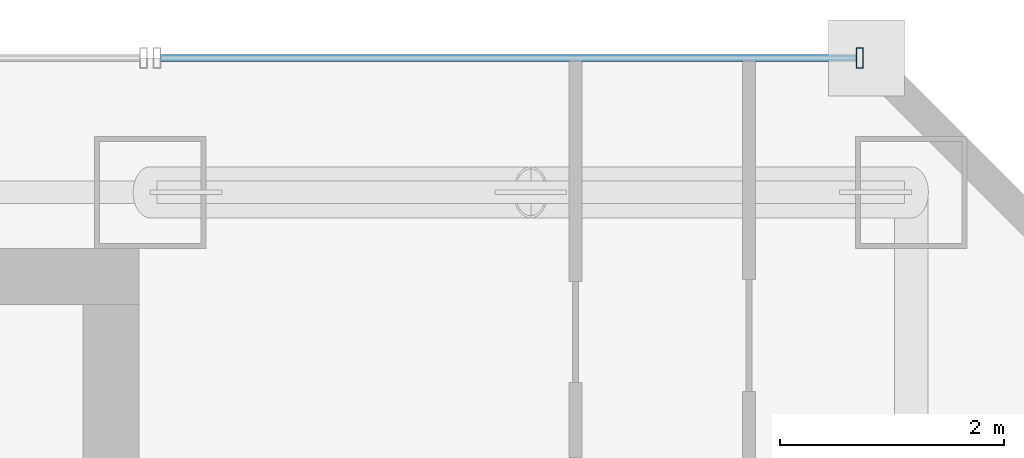
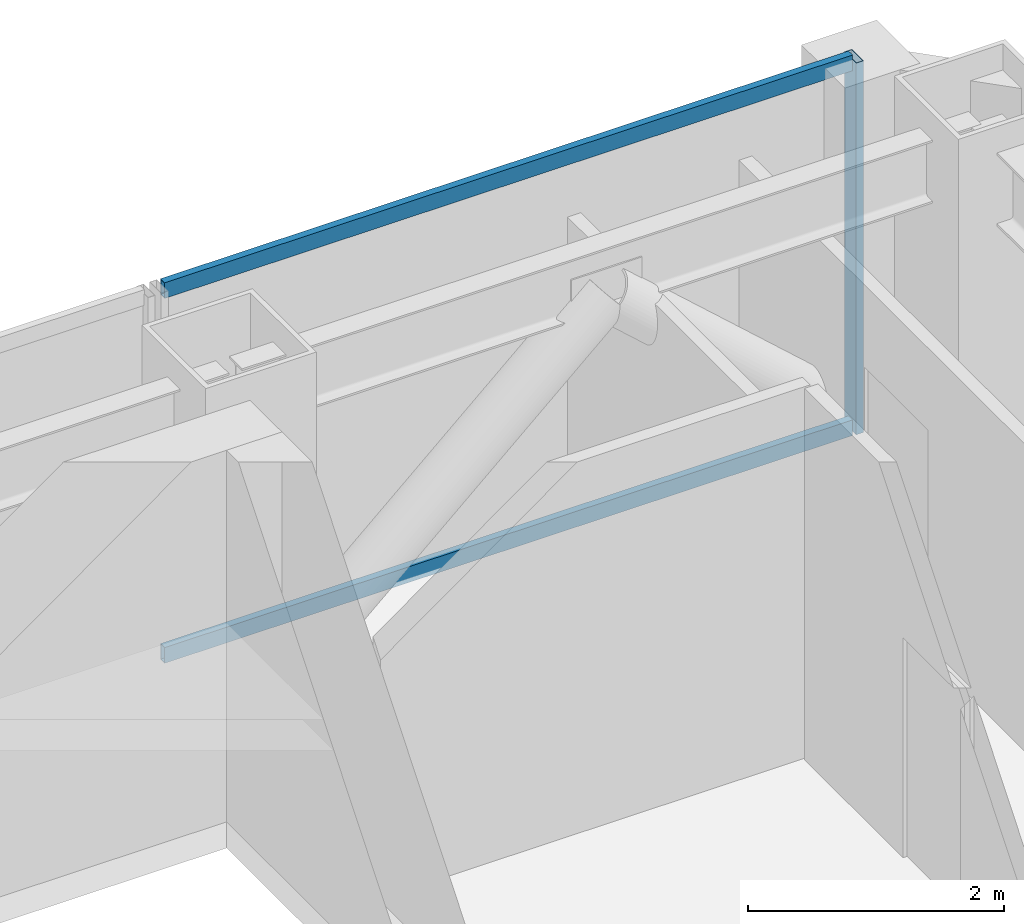
# One storey, part 28 of 37: 3 members, 1 element without a shape of its own.
"""IFC4 building model written with IfcOpenShell, lengths in metres."""

import ifcopenshell
import ifcopenshell.guid

model = None  # the IFC model being written
_history = None  # IfcOwnerHistory: only IFC2X3 demands one
_inside = {}  # id of a spatial element -> (the spatial element, [elements in it])
_under = {}  # id of a project, library or spatial element -> (it, [spatial elements below it])
_declared = {}  # id of a project -> (the project, [libraries it declares])
_typed = {}  # id of a type object -> (the type object, [elements of that type])
_made_of = {}  # id of a material, layer set ... -> (it, [elements and type objects made of it])


def new_model(schema):
    """Start an empty IFC model of exactly this schema.

    Asked for "IFC4X3", IfcOpenShell would pick the latest addendum, in which some entities
    have other attributes; the version numbers below select the first issue.
    IFC2X3 requires an IfcOwnerHistory on every rooted entity: one is made here for all.
    """
    global model, _history
    if schema == "IFC4X3":
        model = ifcopenshell.file(schema_version=(4, 3, 0, 0))
    else:
        model = ifcopenshell.file(schema=schema)
    _inside.clear()
    _under.clear()
    _declared.clear()
    _typed.clear()
    _made_of.clear()
    _history = None
    if model.schema == "IFC2X3":
        org = make("IfcOrganization", Name="unknown")
        user = make(
            "IfcPersonAndOrganization",
            ThePerson=make("IfcPerson", FamilyName="unknown"),
            TheOrganization=org,
        )
        app = make(
            "IfcApplication",
            ApplicationDeveloper=org,
            Version="unknown",
            ApplicationFullName="unknown",
            ApplicationIdentifier="unknown",
        )
        _history = make(
            "IfcOwnerHistory",
            OwningUser=user,
            OwningApplication=app,
            ChangeAction="ADDED",
            CreationDate=0,
        )
    return model


def make(cls, **values):
    """One entity of the class cls with the attributes given. An attribute that is None is left unset."""
    return model.create_entity(
        cls, **{name: value for name, value in values.items() if value is not None}
    )


def rooted(cls, **values):
    """An entity with a GlobalId (a new one), such as an element, a storey or a relation."""
    return make(cls, GlobalId=ifcopenshell.guid.new(), OwnerHistory=_history, **values)


def si_unit(unit_type, name, prefix=None):
    """IfcSIUnit, for example si_unit("LENGTHUNIT", "METRE", prefix="MILLI")."""
    return make("IfcSIUnit", UnitType=unit_type, Prefix=prefix, Name=name)


def assignment(units):
    """IfcUnitAssignment: the units of a project."""
    return None if units is None else make("IfcUnitAssignment", Units=units)


def point(xyz):
    """IfcCartesianPoint."""
    return None if xyz is None else make("IfcCartesianPoint", Coordinates=xyz)


def direction(xyz):
    """IfcDirection."""
    return None if xyz is None else make("IfcDirection", DirectionRatios=xyz)


def frame(location, z_axis=None, x_axis=None):
    """IfcAxis2Placement3D, a coordinate frame: its origin and axes. An axis left out is left unset."""
    return make(
        "IfcAxis2Placement3D",
        Location=point(location),
        Axis=direction(z_axis),
        RefDirection=direction(x_axis),
    )


def frame_2d(location, x_axis=None):
    """IfcAxis2Placement2D, a coordinate frame in the plane: its origin and x axis."""
    return make(
        "IfcAxis2Placement2D", Location=point(location), RefDirection=direction(x_axis)
    )


def origin():
    """The frame at (0, 0, 0) with its axes left unset."""
    return frame((0.0, 0.0, 0.0))


def origin_2d():
    """The frame at (0, 0) in the plane with its x axis left unset."""
    return frame_2d((0.0, 0.0))


def place(relative_to, where):
    """IfcLocalPlacement: puts the frame where relative to a parent placement (None: the world)."""
    return make(
        "IfcLocalPlacement", PlacementRelTo=relative_to, RelativePlacement=where
    )


def context(
    kind, dimensions, precision=None, world=None, true_north=None, identifier=None
):
    """IfcGeometricRepresentationContext, for example the 3D "Model" context."""
    return make(
        "IfcGeometricRepresentationContext",
        ContextIdentifier=identifier,
        ContextType=kind,
        CoordinateSpaceDimension=dimensions,
        Precision=precision,
        WorldCoordinateSystem=world,
        TrueNorth=true_north,
    )


def subcontext(parent, identifier, kind, view, scale=None):
    """IfcGeometricRepresentationSubContext, for example "Body" below "Model"."""
    return make(
        "IfcGeometricRepresentationSubContext",
        ContextIdentifier=identifier,
        ContextType=kind,
        ParentContext=parent,
        TargetScale=scale,
        TargetView=view,
    )


def project(units=None, contexts=None):
    """IfcProject with its units and contexts."""
    return rooted(
        "IfcProject",
        Name="project",
        RepresentationContexts=contexts,
        UnitsInContext=assignment(units),
    )


def spatial(cls, under=None, at=None, **own):
    """A site, building, storey or space (cls), placed at a placement, below another one or the project."""
    s = rooted(cls, ObjectPlacement=at, **own)
    if under is not None:
        _under.setdefault(under.id(), (under, []))[1].append(s)
    return s


def profile(cls, at=None, kind="AREA", **sizes):
    """A parametric profile (cls). Its sizes go by their IFC names, for example OverallWidth=200.0."""
    return make(cls, ProfileType=kind, Position=at, **sizes)


def hollow_rectangle(**sizes):
    """IfcRectangleHollowProfileDef."""
    return profile("IfcRectangleHollowProfileDef", **sizes)


def extrude(swept, where, along, depth):
    """IfcExtrudedAreaSolid: the profile swept, set in the frame where, extruded along a direction by depth."""
    return make(
        "IfcExtrudedAreaSolid",
        SweptArea=swept,
        Position=where,
        ExtrudedDirection=direction(along),
        Depth=depth,
    )


def shape(context_of_items, identifier, shape_type, items):
    """IfcShapeRepresentation: the items that make up one representation, for example the "Body"."""
    return make(
        "IfcShapeRepresentation",
        ContextOfItems=context_of_items,
        RepresentationIdentifier=identifier,
        RepresentationType=shape_type,
        Items=items,
    )


def material(Name=None, Category=None):
    """IfcMaterial."""
    return make("IfcMaterial", Name=Name, Category=Category)


def material_profile(
    of_material, cross_section, Name=None, Category=None, Priority=None
):
    """IfcMaterialProfile: a cross section and its material."""
    return make(
        "IfcMaterialProfile",
        Name=Name,
        Material=of_material,
        Profile=cross_section,
        Priority=Priority,
        Category=Category,
    )


def profile_set(profiles, Name=None, composite=None):
    """IfcMaterialProfileSet."""
    return make(
        "IfcMaterialProfileSet",
        Name=Name,
        MaterialProfiles=profiles,
        CompositeProfile=composite,
    )


def made_of(thing, what):
    """Note that an element or type object is made of a material, layer set ...; save() writes the relation."""
    if what is not None:
        _made_of.setdefault(what.id(), (what, []))[1].append(thing)
    return thing


def type_object(cls, material=None, **own):
    """A type object (cls), such as IfcWallType, which elements share."""
    return made_of(rooted(cls, **own), material)


def element(
    cls,
    number,
    at=None,
    inside=None,
    cuts=None,
    type_object=None,
    material=None,
    context=None,
    identifier="Body",
    shape_type=None,
    held_by="IfcProductDefinitionShape",
    body=None,
    shapes=None,
    **own,
):
    """One element of the class cls, such as IfcWall. Its Tag is "e" and its number.

    at: its placement. inside: the storey or other place that contains it. cuts: it is an
    opening in that element (IfcRelVoidsElement). A single representation is given by context,
    identifier, shape_type and body (its items); several are given by shapes. held_by: the class
    of the entity that holds the representations. save() writes the other relations.
    """
    e = rooted(cls, Tag="e%d" % number, ObjectPlacement=at, **own)
    if body is not None:
        shapes = [shape(context, identifier, shape_type, body)]
    if shapes is not None:
        e.Representation = make(held_by, Representations=shapes)
    if inside is not None:
        _inside.setdefault(inside.id(), (inside, []))[1].append(e)
    if cuts is not None:
        rooted(
            "IfcRelVoidsElement", RelatingBuildingElement=cuts, RelatedOpeningElement=e
        )
    if type_object is not None:
        _typed.setdefault(type_object.id(), (type_object, []))[1].append(e)
    return made_of(e, material)


def aggregate(whole, parts):
    """IfcRelAggregates: a whole, such as a stair, and the parts it consists of."""
    return rooted("IfcRelAggregates", RelatingObject=whole, RelatedObjects=parts)


def save(model, path):
    """Write the relations noted so far, then the file.

    IfcRelAggregates (storeys below a building ...), IfcRelContainedInSpatialStructure (elements
    in a storey), IfcRelDefinesByType, IfcRelAssociatesMaterial and IfcRelDeclares: one each for
    every whole, place, type object, material and project.
    """
    for whole, parts in _under.values():
        aggregate(whole, parts)
    for where, things in _inside.values():
        rooted(
            "IfcRelContainedInSpatialStructure",
            RelatedElements=things,
            RelatingStructure=where,
        )
    for kind, things in _typed.values():
        rooted("IfcRelDefinesByType", RelatedObjects=things, RelatingType=kind)
    for what, things in _made_of.values():
        rooted("IfcRelAssociatesMaterial", RelatedObjects=things, RelatingMaterial=what)
    for by, libraries in _declared.values():
        rooted("IfcRelDeclares", RelatingContext=by, RelatedDefinitions=libraries)
    model.write(path)


model = new_model("IFC4")

# Units and contexts
model_context = context("Model", 3, precision=1e-05, world=origin(), true_north=direction((0.0, 1.0)))
body_context = subcontext(model_context, "Body", "Model", "MODEL_VIEW")
ifc_project = project(units=[si_unit("LENGTHUNIT", "METRE"), si_unit("AREAUNIT", "SQUARE_METRE"), si_unit("VOLUMEUNIT", "CUBIC_METRE"), si_unit("PLANEANGLEUNIT", "RADIAN"), si_unit("MASSUNIT", "GRAM", prefix="KILO")], contexts=[model_context])

# Site, building, storey
site_placement = place(None, origin())
site = spatial("IfcSite", under=ifc_project, at=site_placement, CompositionType="ELEMENT")
building_placement = place(site_placement, origin())
building = spatial("IfcBuilding", under=site, at=building_placement, Name="Saevonmaru Cultural Tower", CompositionType="ELEMENT")
storey_placement = place(building_placement, frame((0.0, 0.0, 160.0)))
storey = spatial("IfcBuildingStorey", under=building, at=storey_placement, Name="L35", CompositionType="ELEMENT", Elevation=160.0)

# Curtain wall, members
ifc_material = material(Name="Satin Bronze Anodised Aluminium", Category="aluminium")
curtain_wall_type = type_object("IfcCurtainWallType", Name="CW-TYP-A", PredefinedType="NOTDEFINED", material=ifc_material)
curtain_wall_placement = place(storey_placement, origin())
curtain_wall = element("IfcCurtainWall", 1, at=curtain_wall_placement, inside=storey, type_object=curtain_wall_type, Name="L35 East Braced Bay Spandrel Curtain Wall E10A", PredefinedType="NOTDEFINED")
ifc_material_profile_1 = material_profile(ifc_material, hollow_rectangle(XDim=0.06494140625, YDim=0.179931640625, WallThickness=0.00390625, at=origin_2d()), Name="ALU-MULL-180x65x4")
ifc_profile_set_1 = profile_set([ifc_material_profile_1], Name="Satin Bronze Anodised Aluminium")
member_type_1 = type_object("IfcMemberType", Name="ML-CW-180x65", PredefinedType="MULLION", material=ifc_profile_set_1)
member_1_placement = place(storey_placement, frame((52.739990234375, 56.0, 0.0), z_axis=(0.0, 0.0, 1.0), x_axis=(-1.0, 0.0, 0.0)))
member_1 = element("IfcMember", 2, at=member_1_placement, type_object=member_type_1, Name="CW-TW-L35-E10A mullion 1", PredefinedType="MULLION", context=body_context, shape_type="SweptSolid", body=[
    extrude(hollow_rectangle(XDim=0.06494140625, YDim=0.179931640625, WallThickness=0.00390625, at=origin_2d()), origin(), (0.0, 0.0, 1.0), 3.550048828125),
])
ifc_material_profile_2 = material_profile(ifc_material, hollow_rectangle(XDim=0.06494140625, YDim=0.14990234375, WallThickness=0.00390625, at=origin_2d()), Name="ALU-TRAN-150x65x4")
ifc_profile_set_2 = profile_set([ifc_material_profile_2], Name="Satin Bronze Anodised Aluminium")
member_type_2 = type_object("IfcMemberType", Name="TR-CW-150x65", PredefinedType="USERDEFINED", material=ifc_profile_set_2)
member_2_placement = place(storey_placement, frame((52.70751953125, 56.0, 0.032470703125), z_axis=(-1.0, 0.0, 0.0), x_axis=(0.0, -1.0, 0.0)))
member_2 = element("IfcMember", 3, at=member_2_placement, type_object=member_type_2, Name="CW-TW-L35-E10A transom 1.1", ObjectType="TRANSOM", PredefinedType="USERDEFINED", context=body_context, shape_type="SweptSolid", body=[
    extrude(hollow_rectangle(XDim=0.06494140625, YDim=0.14990234375, WallThickness=0.00390625, at=origin_2d()), origin(), (0.0, 0.0, 1.0), 6.215087890625),
])
member_3_placement = place(storey_placement, frame((52.70751953125, 56.0, 3.517578125), z_axis=(-1.0, 0.0, 0.0), x_axis=(0.0, -1.0, 0.0)))
member_3 = element("IfcMember", 4, at=member_3_placement, type_object=member_type_2, Name="CW-TW-L35-E10A transom 1.2", ObjectType="TRANSOM", PredefinedType="USERDEFINED", context=body_context, shape_type="SweptSolid", body=[
    extrude(hollow_rectangle(XDim=0.06494140625, YDim=0.14990234375, WallThickness=0.00390625, at=origin_2d()), origin(), (0.0, 0.0, 1.0), 6.215087890625),
])
aggregate(curtain_wall, [member_1, member_2, member_3])

save(model, "model.ifc")
